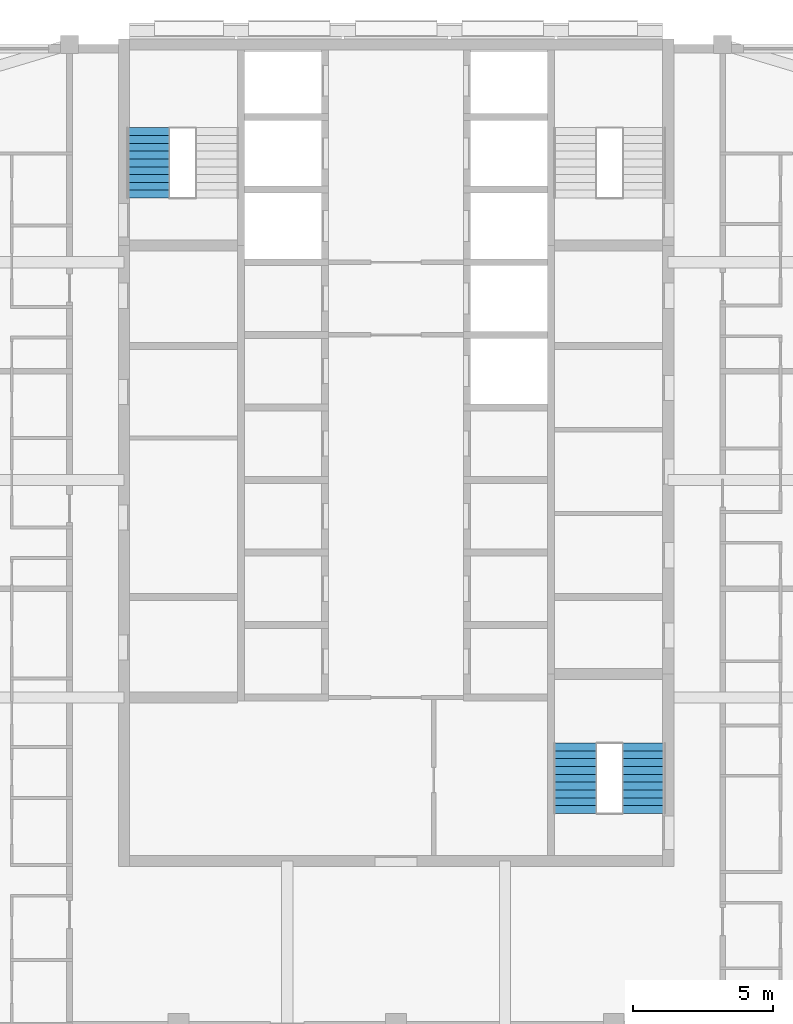
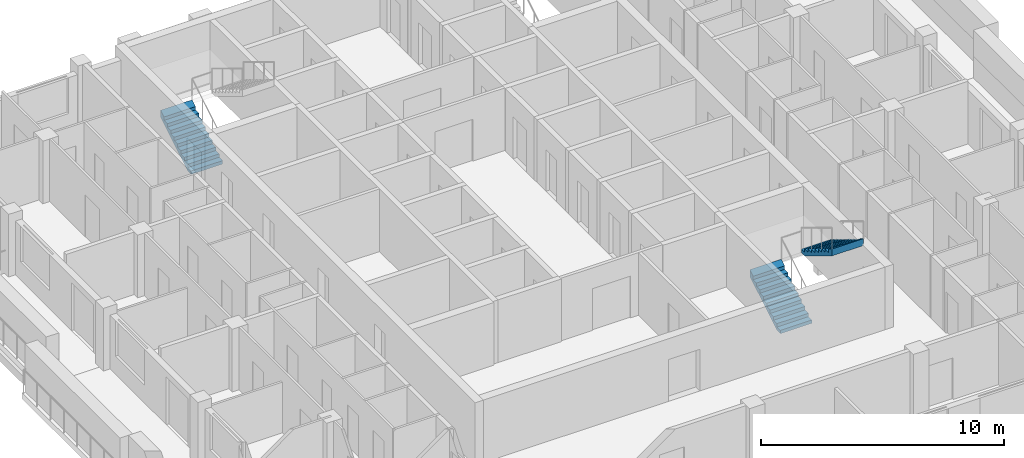
# One storey, part 10 of 13: 3 stair flights, 2 elements without a shape of their own.
"""IFC4 building model written with IfcOpenShell, lengths in metres."""

from ifc_helpers import new_model, si_unit, direction, frame, origin, place, context, subcontext, project, spatial, triangles, material, type_object, element, aggregate, save


model = new_model("IFC4")

# Units and contexts
model_context = context("Model", 3, precision=1e-05, world=origin(), true_north=direction((0.0, 1.0)))
body_context = subcontext(model_context, "Body", "Model", "MODEL_VIEW")
ifc_project = project(units=[si_unit("LENGTHUNIT", "METRE"), si_unit("AREAUNIT", "SQUARE_METRE"), si_unit("VOLUMEUNIT", "CUBIC_METRE"), si_unit("PLANEANGLEUNIT", "RADIAN"), si_unit("MASSUNIT", "GRAM", prefix="KILO")], contexts=[model_context])

# Site, building, storey
site_placement = place(None, origin())
site = spatial("IfcSite", under=ifc_project, at=site_placement, CompositionType="ELEMENT")
building_placement = place(site_placement, origin())
building = spatial("IfcBuilding", under=site, at=building_placement, Name="Ludao Terraces", CompositionType="ELEMENT")
storey_placement = place(building_placement, frame((0.0, 0.0, 246.0)))
storey = spatial("IfcBuildingStorey", under=building, at=storey_placement, Name="L67", CompositionType="ELEMENT", Elevation=246.0)

# Stair, stair flight
ifc_material = material(Name="Concrete C40", Category="concrete")
stair_type = type_object("IfcStairType", Name="INT Stair", PredefinedType="HALF_TURN_STAIR", material=ifc_material)
stair_1_placement = place(storey_placement, origin())
stair_1 = element("IfcStair", 1, at=stair_1_placement, inside=storey, type_object=stair_type, Name="EXIT STAIR 1", PredefinedType="HALF_TURN_STAIR")
stair_flight_type = type_object("IfcStairFlightType", Name="INT Stair flight", PredefinedType="STRAIGHT", material=ifc_material)
stair_flight_1_placement = place(storey_placement, frame((76.125, 79.0, 0.0), z_axis=(0.0, 0.0, 1.0), x_axis=(0.0, 1.0, 0.0)))
stair_flight_1 = element("IfcStairFlight", 2, at=stair_flight_1_placement, type_object=stair_flight_type, Name="ST1 flight 1", NumberOfRisers=10, NumberOfTreads=9, PredefinedType="STRAIGHT", RiserHeight=0.17, TreadLength=0.28, context=body_context, shape_type="Tessellation", body=[
    triangles([(0.0, -0.75, 0.0), (0.0, -0.5, 0.0), (0.0, -0.25, 0.0), (0.0, 0.0, 0.0), (0.0, 0.25, 0.0), (0.0, 0.5, 0.0), (0.0, 0.75, 0.0), (0.0, -0.75, 0.169921875), (0.0, -0.5, 0.169921875), (0.0, -0.25, 0.169921875), (0.0, 0.0, 0.169921875), (0.0, 0.25, 0.169921875), (0.0, 0.5, 0.169921875), (0.0, 0.75, 0.169921875), (0.280029296875, -0.75, 0.169921875), (0.280029296875, -0.5, 0.169921875), (0.280029296875, -0.25, 0.169921875), (0.280029296875, 0.0, 0.169921875), (0.280029296875, 0.25, 0.169921875), (0.280029296875, 0.5, 0.169921875), (0.280029296875, 0.75, 0.169921875), (0.280029296875, -0.75, 0.340087890625), (0.280029296875, -0.5, 0.340087890625), (0.280029296875, -0.25, 0.340087890625), (0.280029296875, 0.0, 0.340087890625), (0.280029296875, 0.25, 0.340087890625), (0.280029296875, 0.5, 0.340087890625), (0.280029296875, 0.75, 0.340087890625), (0.56005859375, -0.75, 0.340087890625), (0.56005859375, -0.5, 0.340087890625), (0.56005859375, -0.25, 0.340087890625), (0.56005859375, 0.0, 0.340087890625), (0.56005859375, 0.25, 0.340087890625), (0.56005859375, 0.5, 0.340087890625), (0.56005859375, 0.75, 0.340087890625), (0.56005859375, -0.75, 0.510009765625), (0.56005859375, -0.5, 0.510009765625), (0.56005859375, -0.25, 0.510009765625), (0.56005859375, 0.0, 0.510009765625), (0.56005859375, 0.25, 0.510009765625), (0.56005859375, 0.5, 0.510009765625), (0.56005859375, 0.75, 0.510009765625), (0.840087890625, -0.75, 0.510009765625), (0.840087890625, -0.5, 0.510009765625), (0.840087890625, -0.25, 0.510009765625), (0.840087890625, 0.0, 0.510009765625), (0.840087890625, 0.25, 0.510009765625), (0.840087890625, 0.5, 0.510009765625), (0.840087890625, 0.75, 0.510009765625), (0.840087890625, -0.75, 0.679931640625), (0.840087890625, -0.5, 0.679931640625), (0.840087890625, -0.25, 0.679931640625), (0.840087890625, 0.0, 0.679931640625), (0.840087890625, 0.25, 0.679931640625), (0.840087890625, 0.5, 0.679931640625), (0.840087890625, 0.75, 0.679931640625), (1.1201171875, -0.75, 0.679931640625), (1.1201171875, -0.5, 0.679931640625), (1.1201171875, -0.25, 0.679931640625), (1.1201171875, 0.0, 0.679931640625), (1.1201171875, 0.25, 0.679931640625), (1.1201171875, 0.5, 0.679931640625), (1.1201171875, 0.75, 0.679931640625), (1.1201171875, -0.75, 0.85009765625), (1.1201171875, -0.5, 0.85009765625), (1.1201171875, -0.25, 0.85009765625), (1.1201171875, 0.0, 0.85009765625), (1.1201171875, 0.25, 0.85009765625), (1.1201171875, 0.5, 0.85009765625), (1.1201171875, 0.75, 0.85009765625), (1.39990234375, -0.75, 0.85009765625), (1.39990234375, -0.5, 0.85009765625), (1.39990234375, -0.25, 0.85009765625), (1.39990234375, 0.0, 0.85009765625), (1.39990234375, 0.25, 0.85009765625), (1.39990234375, 0.5, 0.85009765625), (1.39990234375, 0.75, 0.85009765625), (1.39990234375, -0.75, 1.02001953125), (1.39990234375, -0.5, 1.02001953125), (1.39990234375, -0.25, 1.02001953125), (1.39990234375, 0.0, 1.02001953125), (1.39990234375, 0.25, 1.02001953125), (1.39990234375, 0.5, 1.02001953125), (1.39990234375, 0.75, 1.02001953125), (1.679931640625, -0.75, 1.02001953125), (1.679931640625, -0.5, 1.02001953125), (1.679931640625, -0.25, 1.02001953125), (1.679931640625, 0.0, 1.02001953125), (1.679931640625, 0.25, 1.02001953125), (1.679931640625, 0.5, 1.02001953125), (1.679931640625, 0.75, 1.02001953125), (1.679931640625, -0.75, 1.18994140625), (1.679931640625, -0.5, 1.18994140625), (1.679931640625, -0.25, 1.18994140625), (1.679931640625, 0.0, 1.18994140625), (1.679931640625, 0.25, 1.18994140625), (1.679931640625, 0.5, 1.18994140625), (1.679931640625, 0.75, 1.18994140625), (1.9599609375, -0.75, 1.18994140625), (1.9599609375, -0.5, 1.18994140625), (1.9599609375, -0.25, 1.18994140625), (1.9599609375, 0.0, 1.18994140625), (1.9599609375, 0.25, 1.18994140625), (1.9599609375, 0.5, 1.18994140625), (1.9599609375, 0.75, 1.18994140625), (1.9599609375, -0.75, 1.360107421875), (1.9599609375, -0.5, 1.360107421875), (1.9599609375, -0.25, 1.360107421875), (1.9599609375, 0.0, 1.360107421875), (1.9599609375, 0.25, 1.360107421875), (1.9599609375, 0.5, 1.360107421875), (1.9599609375, 0.75, 1.360107421875), (2.239990234375, -0.75, 1.360107421875), (2.239990234375, -0.5, 1.360107421875), (2.239990234375, -0.25, 1.360107421875), (2.239990234375, 0.0, 1.360107421875), (2.239990234375, 0.25, 1.360107421875), (2.239990234375, 0.5, 1.360107421875), (2.239990234375, 0.75, 1.360107421875), (2.239990234375, -0.75, 1.530029296875), (2.239990234375, -0.5, 1.530029296875), (2.239990234375, -0.25, 1.530029296875), (2.239990234375, 0.0, 1.530029296875), (2.239990234375, 0.25, 1.530029296875), (2.239990234375, 0.5, 1.530029296875), (2.239990234375, 0.75, 1.530029296875), (2.52001953125, -0.75, 1.699951171875), (2.52001953125, -0.5, 1.699951171875), (2.52001953125, -0.25, 1.699951171875), (2.52001953125, 0.0, 1.699951171875), (2.52001953125, 0.25, 1.699951171875), (2.52001953125, 0.5, 1.699951171875), (2.52001953125, 0.75, 1.699951171875), (2.52001953125, -0.75, 1.354736328125), (2.52001953125, -0.5, 1.354736328125), (2.52001953125, -0.25, 1.354736328125), (2.52001953125, 0.0, 1.354736328125), (2.52001953125, 0.25, 1.354736328125), (2.52001953125, 0.5, 1.354736328125), (2.52001953125, 0.75, 1.354736328125), (0.288818359375, -0.75, 0.0), (0.288818359375, -0.5, 0.0), (0.288818359375, -0.25, 0.0), (0.288818359375, 0.0, 0.0), (0.288818359375, 0.25, 0.0), (0.288818359375, 0.5, 0.0), (0.288818359375, 0.75, 0.0)], [[1, 141, 134], [7, 140, 147], [134, 127, 120], [140, 126, 133], [134, 120, 113], [140, 119, 126], [134, 113, 106], [140, 112, 119], [134, 106, 99], [140, 105, 112], [99, 92, 85], [105, 91, 98], [134, 99, 85], [140, 91, 105], [85, 78, 71], [91, 77, 84], [134, 85, 71], [140, 77, 91], [71, 64, 57], [77, 63, 70], [134, 71, 57], [140, 63, 77], [57, 50, 43], [63, 49, 56], [134, 57, 43], [140, 49, 63], [43, 36, 29], [49, 35, 42], [134, 43, 29], [140, 35, 49], [29, 22, 15], [35, 21, 28], [134, 29, 15], [140, 21, 35], [1, 134, 15], [7, 21, 140], [15, 8, 1], [21, 7, 14], [1, 9, 2], [1, 8, 9], [2, 10, 3], [2, 9, 10], [3, 11, 4], [3, 10, 11], [4, 12, 5], [4, 11, 12], [5, 13, 6], [5, 12, 13], [6, 14, 7], [6, 13, 14], [8, 16, 9], [8, 15, 16], [9, 17, 10], [9, 16, 17], [10, 18, 11], [10, 17, 18], [11, 19, 12], [11, 18, 19], [12, 20, 13], [12, 19, 20], [13, 21, 14], [13, 20, 21], [15, 23, 16], [15, 22, 23], [16, 24, 17], [16, 23, 24], [17, 25, 18], [17, 24, 25], [18, 26, 19], [18, 25, 26], [19, 27, 20], [19, 26, 27], [20, 28, 21], [20, 27, 28], [22, 30, 23], [22, 29, 30], [23, 31, 24], [23, 30, 31], [24, 32, 25], [24, 31, 32], [25, 33, 26], [25, 32, 33], [26, 34, 27], [26, 33, 34], [27, 35, 28], [27, 34, 35], [29, 37, 30], [29, 36, 37], [30, 38, 31], [30, 37, 38], [31, 39, 32], [31, 38, 39], [32, 40, 33], [32, 39, 40], [33, 41, 34], [33, 40, 41], [34, 42, 35], [34, 41, 42], [36, 44, 37], [36, 43, 44], [37, 45, 38], [37, 44, 45], [38, 46, 39], [38, 45, 46], [39, 47, 40], [39, 46, 47], [40, 48, 41], [40, 47, 48], [41, 49, 42], [41, 48, 49], [43, 51, 44], [43, 50, 51], [44, 52, 45], [44, 51, 52], [45, 53, 46], [45, 52, 53], [46, 54, 47], [46, 53, 54], [47, 55, 48], [47, 54, 55], [48, 56, 49], [48, 55, 56], [50, 58, 51], [50, 57, 58], [51, 59, 52], [51, 58, 59], [52, 60, 53], [52, 59, 60], [53, 61, 54], [53, 60, 61], [54, 62, 55], [54, 61, 62], [55, 63, 56], [55, 62, 63], [57, 65, 58], [57, 64, 65], [58, 66, 59], [58, 65, 66], [59, 67, 60], [59, 66, 67], [60, 68, 61], [60, 67, 68], [61, 69, 62], [61, 68, 69], [62, 70, 63], [62, 69, 70], [64, 72, 65], [64, 71, 72], [65, 73, 66], [65, 72, 73], [66, 74, 67], [66, 73, 74], [67, 75, 68], [67, 74, 75], [68, 76, 69], [68, 75, 76], [69, 77, 70], [69, 76, 77], [71, 79, 72], [71, 78, 79], [72, 80, 73], [72, 79, 80], [73, 81, 74], [73, 80, 81], [74, 82, 75], [74, 81, 82], [75, 83, 76], [75, 82, 83], [76, 84, 77], [76, 83, 84], [78, 86, 79], [78, 85, 86], [79, 87, 80], [79, 86, 87], [80, 88, 81], [80, 87, 88], [81, 89, 82], [81, 88, 89], [82, 90, 83], [82, 89, 90], [83, 91, 84], [83, 90, 91], [85, 93, 86], [85, 92, 93], [86, 94, 87], [86, 93, 94], [87, 95, 88], [87, 94, 95], [88, 96, 89], [88, 95, 96], [89, 97, 90], [89, 96, 97], [90, 98, 91], [90, 97, 98], [92, 100, 93], [92, 99, 100], [93, 101, 94], [93, 100, 101], [94, 102, 95], [94, 101, 102], [95, 103, 96], [95, 102, 103], [96, 104, 97], [96, 103, 104], [97, 105, 98], [97, 104, 105], [99, 107, 100], [99, 106, 107], [100, 108, 101], [100, 107, 108], [101, 109, 102], [101, 108, 109], [102, 110, 103], [102, 109, 110], [103, 111, 104], [103, 110, 111], [104, 112, 105], [104, 111, 112], [106, 114, 107], [106, 113, 114], [107, 115, 108], [107, 114, 115], [108, 116, 109], [108, 115, 116], [109, 117, 110], [109, 116, 117], [110, 118, 111], [110, 117, 118], [111, 119, 112], [111, 118, 119], [113, 121, 114], [113, 120, 121], [114, 122, 115], [114, 121, 122], [115, 123, 116], [115, 122, 123], [116, 124, 117], [116, 123, 124], [117, 125, 118], [117, 124, 125], [118, 126, 119], [118, 125, 126], [120, 128, 121], [120, 127, 128], [121, 129, 122], [121, 128, 129], [122, 130, 123], [122, 129, 130], [123, 131, 124], [123, 130, 131], [124, 132, 125], [124, 131, 132], [125, 133, 126], [125, 132, 133], [127, 135, 128], [127, 134, 135], [128, 136, 129], [128, 135, 136], [129, 137, 130], [129, 136, 137], [130, 138, 131], [130, 137, 138], [131, 139, 132], [131, 138, 139], [132, 140, 133], [132, 139, 140], [134, 142, 135], [134, 141, 142], [135, 143, 136], [135, 142, 143], [136, 144, 137], [136, 143, 144], [137, 145, 138], [137, 144, 145], [138, 146, 139], [138, 145, 146], [139, 147, 140], [139, 146, 147], [141, 2, 142], [141, 1, 2], [142, 3, 143], [142, 2, 3], [143, 4, 144], [143, 3, 4], [144, 5, 145], [144, 4, 5], [145, 6, 146], [145, 5, 6], [146, 7, 147], [146, 6, 7]], closed=True),
])
aggregate(stair_1, [stair_flight_1])

# Stair, stair flights
stair_2_placement = place(storey_placement, origin())
stair_2 = element("IfcStair", 3, at=stair_2_placement, inside=storey, type_object=stair_type, Name="EXIT STAIR 3", PredefinedType="HALF_TURN_STAIR")
stair_flight_2_placement = place(storey_placement, frame((91.425048828125, 56.949951171875, 0.0), z_axis=(0.0, 0.0, 1.0), x_axis=(0.0, 1.0, 0.0)))
stair_flight_2 = element("IfcStairFlight", 4, at=stair_flight_2_placement, type_object=stair_flight_type, Name="ST3 flight 1", NumberOfRisers=10, NumberOfTreads=9, PredefinedType="STRAIGHT", RiserHeight=0.17, TreadLength=0.28, context=body_context, shape_type="Tessellation", body=[
    triangles([(0.0, -0.75, 0.0), (0.0, -0.5, 0.0), (0.0, -0.25, 0.0), (0.0, 0.0, 0.0), (0.0, 0.25, 0.0), (0.0, 0.5, 0.0), (0.0, 0.75, 0.0), (0.0, -0.75, 0.169921875), (0.0, -0.5, 0.169921875), (0.0, -0.25, 0.169921875), (0.0, 0.0, 0.169921875), (0.0, 0.25, 0.169921875), (0.0, 0.5, 0.169921875), (0.0, 0.75, 0.169921875), (0.280029296875, -0.75, 0.169921875), (0.280029296875, -0.5, 0.169921875), (0.280029296875, -0.25, 0.169921875), (0.280029296875, 0.0, 0.169921875), (0.280029296875, 0.25, 0.169921875), (0.280029296875, 0.5, 0.169921875), (0.280029296875, 0.75, 0.169921875), (0.280029296875, -0.75, 0.340087890625), (0.280029296875, -0.5, 0.340087890625), (0.280029296875, -0.25, 0.340087890625), (0.280029296875, 0.0, 0.340087890625), (0.280029296875, 0.25, 0.340087890625), (0.280029296875, 0.5, 0.340087890625), (0.280029296875, 0.75, 0.340087890625), (0.56005859375, -0.75, 0.340087890625), (0.56005859375, -0.5, 0.340087890625), (0.56005859375, -0.25, 0.340087890625), (0.56005859375, 0.0, 0.340087890625), (0.56005859375, 0.25, 0.340087890625), (0.56005859375, 0.5, 0.340087890625), (0.56005859375, 0.75, 0.340087890625), (0.56005859375, -0.75, 0.510009765625), (0.56005859375, -0.5, 0.510009765625), (0.56005859375, -0.25, 0.510009765625), (0.56005859375, 0.0, 0.510009765625), (0.56005859375, 0.25, 0.510009765625), (0.56005859375, 0.5, 0.510009765625), (0.56005859375, 0.75, 0.510009765625), (0.840087890625, -0.75, 0.510009765625), (0.840087890625, -0.5, 0.510009765625), (0.840087890625, -0.25, 0.510009765625), (0.840087890625, 0.0, 0.510009765625), (0.840087890625, 0.25, 0.510009765625), (0.840087890625, 0.5, 0.510009765625), (0.840087890625, 0.75, 0.510009765625), (0.840087890625, -0.75, 0.679931640625), (0.840087890625, -0.5, 0.679931640625), (0.840087890625, -0.25, 0.679931640625), (0.840087890625, 0.0, 0.679931640625), (0.840087890625, 0.25, 0.679931640625), (0.840087890625, 0.5, 0.679931640625), (0.840087890625, 0.75, 0.679931640625), (1.1201171875, -0.75, 0.679931640625), (1.1201171875, -0.5, 0.679931640625), (1.1201171875, -0.25, 0.679931640625), (1.1201171875, 0.0, 0.679931640625), (1.1201171875, 0.25, 0.679931640625), (1.1201171875, 0.5, 0.679931640625), (1.1201171875, 0.75, 0.679931640625), (1.1201171875, -0.75, 0.85009765625), (1.1201171875, -0.5, 0.85009765625), (1.1201171875, -0.25, 0.85009765625), (1.1201171875, 0.0, 0.85009765625), (1.1201171875, 0.25, 0.85009765625), (1.1201171875, 0.5, 0.85009765625), (1.1201171875, 0.75, 0.85009765625), (1.39990234375, -0.75, 0.85009765625), (1.39990234375, -0.5, 0.85009765625), (1.39990234375, -0.25, 0.85009765625), (1.39990234375, 0.0, 0.85009765625), (1.39990234375, 0.25, 0.85009765625), (1.39990234375, 0.5, 0.85009765625), (1.39990234375, 0.75, 0.85009765625), (1.39990234375, -0.75, 1.02001953125), (1.39990234375, -0.5, 1.02001953125), (1.39990234375, -0.25, 1.02001953125), (1.39990234375, 0.0, 1.02001953125), (1.39990234375, 0.25, 1.02001953125), (1.39990234375, 0.5, 1.02001953125), (1.39990234375, 0.75, 1.02001953125), (1.679931640625, -0.75, 1.02001953125), (1.679931640625, -0.5, 1.02001953125), (1.679931640625, -0.25, 1.02001953125), (1.679931640625, 0.0, 1.02001953125), (1.679931640625, 0.25, 1.02001953125), (1.679931640625, 0.5, 1.02001953125), (1.679931640625, 0.75, 1.02001953125), (1.679931640625, -0.75, 1.18994140625), (1.679931640625, -0.5, 1.18994140625), (1.679931640625, -0.25, 1.18994140625), (1.679931640625, 0.0, 1.18994140625), (1.679931640625, 0.25, 1.18994140625), (1.679931640625, 0.5, 1.18994140625), (1.679931640625, 0.75, 1.18994140625), (1.9599609375, -0.75, 1.18994140625), (1.9599609375, -0.5, 1.18994140625), (1.9599609375, -0.25, 1.18994140625), (1.9599609375, 0.0, 1.18994140625), (1.9599609375, 0.25, 1.18994140625), (1.9599609375, 0.5, 1.18994140625), (1.9599609375, 0.75, 1.18994140625), (1.9599609375, -0.75, 1.360107421875), (1.9599609375, -0.5, 1.360107421875), (1.9599609375, -0.25, 1.360107421875), (1.9599609375, 0.0, 1.360107421875), (1.9599609375, 0.25, 1.360107421875), (1.9599609375, 0.5, 1.360107421875), (1.9599609375, 0.75, 1.360107421875), (2.239990234375, -0.75, 1.360107421875), (2.239990234375, -0.5, 1.360107421875), (2.239990234375, -0.25, 1.360107421875), (2.239990234375, 0.0, 1.360107421875), (2.239990234375, 0.25, 1.360107421875), (2.239990234375, 0.5, 1.360107421875), (2.239990234375, 0.75, 1.360107421875), (2.239990234375, -0.75, 1.530029296875), (2.239990234375, -0.5, 1.530029296875), (2.239990234375, -0.25, 1.530029296875), (2.239990234375, 0.0, 1.530029296875), (2.239990234375, 0.25, 1.530029296875), (2.239990234375, 0.5, 1.530029296875), (2.239990234375, 0.75, 1.530029296875), (2.52001953125, -0.75, 1.699951171875), (2.52001953125, -0.5, 1.699951171875), (2.52001953125, -0.25, 1.699951171875), (2.52001953125, 0.0, 1.699951171875), (2.52001953125, 0.25, 1.699951171875), (2.52001953125, 0.5, 1.699951171875), (2.52001953125, 0.75, 1.699951171875), (2.52001953125, -0.75, 1.354736328125), (2.52001953125, -0.5, 1.354736328125), (2.52001953125, -0.25, 1.354736328125), (2.52001953125, 0.0, 1.354736328125), (2.52001953125, 0.25, 1.354736328125), (2.52001953125, 0.5, 1.354736328125), (2.52001953125, 0.75, 1.354736328125), (0.288818359375, -0.75, 0.0), (0.288818359375, -0.5, 0.0), (0.288818359375, -0.25, 0.0), (0.288818359375, 0.0, 0.0), (0.288818359375, 0.25, 0.0), (0.288818359375, 0.5, 0.0), (0.288818359375, 0.75, 0.0)], [[1, 141, 134], [7, 140, 147], [134, 127, 120], [140, 126, 133], [134, 120, 113], [140, 119, 126], [134, 113, 106], [140, 112, 119], [134, 106, 99], [140, 105, 112], [99, 92, 85], [105, 91, 98], [134, 99, 85], [140, 91, 105], [85, 78, 71], [91, 77, 84], [134, 85, 71], [140, 77, 91], [71, 64, 57], [77, 63, 70], [134, 71, 57], [140, 63, 77], [57, 50, 43], [63, 49, 56], [134, 57, 43], [140, 49, 63], [43, 36, 29], [49, 35, 42], [134, 43, 29], [140, 35, 49], [29, 22, 15], [35, 21, 28], [134, 29, 15], [140, 21, 35], [1, 134, 15], [7, 21, 140], [15, 8, 1], [21, 7, 14], [1, 9, 2], [1, 8, 9], [2, 10, 3], [2, 9, 10], [3, 11, 4], [3, 10, 11], [4, 12, 5], [4, 11, 12], [5, 13, 6], [5, 12, 13], [6, 14, 7], [6, 13, 14], [8, 16, 9], [8, 15, 16], [9, 17, 10], [9, 16, 17], [10, 18, 11], [10, 17, 18], [11, 19, 12], [11, 18, 19], [12, 20, 13], [12, 19, 20], [13, 21, 14], [13, 20, 21], [15, 23, 16], [15, 22, 23], [16, 24, 17], [16, 23, 24], [17, 25, 18], [17, 24, 25], [18, 26, 19], [18, 25, 26], [19, 27, 20], [19, 26, 27], [20, 28, 21], [20, 27, 28], [22, 30, 23], [22, 29, 30], [23, 31, 24], [23, 30, 31], [24, 32, 25], [24, 31, 32], [25, 33, 26], [25, 32, 33], [26, 34, 27], [26, 33, 34], [27, 35, 28], [27, 34, 35], [29, 37, 30], [29, 36, 37], [30, 38, 31], [30, 37, 38], [31, 39, 32], [31, 38, 39], [32, 40, 33], [32, 39, 40], [33, 41, 34], [33, 40, 41], [34, 42, 35], [34, 41, 42], [36, 44, 37], [36, 43, 44], [37, 45, 38], [37, 44, 45], [38, 46, 39], [38, 45, 46], [39, 47, 40], [39, 46, 47], [40, 48, 41], [40, 47, 48], [41, 49, 42], [41, 48, 49], [43, 51, 44], [43, 50, 51], [44, 52, 45], [44, 51, 52], [45, 53, 46], [45, 52, 53], [46, 54, 47], [46, 53, 54], [47, 55, 48], [47, 54, 55], [48, 56, 49], [48, 55, 56], [50, 58, 51], [50, 57, 58], [51, 59, 52], [51, 58, 59], [52, 60, 53], [52, 59, 60], [53, 61, 54], [53, 60, 61], [54, 62, 55], [54, 61, 62], [55, 63, 56], [55, 62, 63], [57, 65, 58], [57, 64, 65], [58, 66, 59], [58, 65, 66], [59, 67, 60], [59, 66, 67], [60, 68, 61], [60, 67, 68], [61, 69, 62], [61, 68, 69], [62, 70, 63], [62, 69, 70], [64, 72, 65], [64, 71, 72], [65, 73, 66], [65, 72, 73], [66, 74, 67], [66, 73, 74], [67, 75, 68], [67, 74, 75], [68, 76, 69], [68, 75, 76], [69, 77, 70], [69, 76, 77], [71, 79, 72], [71, 78, 79], [72, 80, 73], [72, 79, 80], [73, 81, 74], [73, 80, 81], [74, 82, 75], [74, 81, 82], [75, 83, 76], [75, 82, 83], [76, 84, 77], [76, 83, 84], [78, 86, 79], [78, 85, 86], [79, 87, 80], [79, 86, 87], [80, 88, 81], [80, 87, 88], [81, 89, 82], [81, 88, 89], [82, 90, 83], [82, 89, 90], [83, 91, 84], [83, 90, 91], [85, 93, 86], [85, 92, 93], [86, 94, 87], [86, 93, 94], [87, 95, 88], [87, 94, 95], [88, 96, 89], [88, 95, 96], [89, 97, 90], [89, 96, 97], [90, 98, 91], [90, 97, 98], [92, 100, 93], [92, 99, 100], [93, 101, 94], [93, 100, 101], [94, 102, 95], [94, 101, 102], [95, 103, 96], [95, 102, 103], [96, 104, 97], [96, 103, 104], [97, 105, 98], [97, 104, 105], [99, 107, 100], [99, 106, 107], [100, 108, 101], [100, 107, 108], [101, 109, 102], [101, 108, 109], [102, 110, 103], [102, 109, 110], [103, 111, 104], [103, 110, 111], [104, 112, 105], [104, 111, 112], [106, 114, 107], [106, 113, 114], [107, 115, 108], [107, 114, 115], [108, 116, 109], [108, 115, 116], [109, 117, 110], [109, 116, 117], [110, 118, 111], [110, 117, 118], [111, 119, 112], [111, 118, 119], [113, 121, 114], [113, 120, 121], [114, 122, 115], [114, 121, 122], [115, 123, 116], [115, 122, 123], [116, 124, 117], [116, 123, 124], [117, 125, 118], [117, 124, 125], [118, 126, 119], [118, 125, 126], [120, 128, 121], [120, 127, 128], [121, 129, 122], [121, 128, 129], [122, 130, 123], [122, 129, 130], [123, 131, 124], [123, 130, 131], [124, 132, 125], [124, 131, 132], [125, 133, 126], [125, 132, 133], [127, 135, 128], [127, 134, 135], [128, 136, 129], [128, 135, 136], [129, 137, 130], [129, 136, 137], [130, 138, 131], [130, 137, 138], [131, 139, 132], [131, 138, 139], [132, 140, 133], [132, 139, 140], [134, 142, 135], [134, 141, 142], [135, 143, 136], [135, 142, 143], [136, 144, 137], [136, 143, 144], [137, 145, 138], [137, 144, 145], [138, 146, 139], [138, 145, 146], [139, 147, 140], [139, 146, 147], [141, 2, 142], [141, 1, 2], [142, 3, 143], [142, 2, 3], [143, 4, 144], [143, 3, 4], [144, 5, 145], [144, 4, 5], [145, 6, 146], [145, 5, 6], [146, 7, 147], [146, 6, 7]], closed=True),
])
stair_flight_3_placement = place(storey_placement, frame((93.875, 59.469970703125, 1.699951171875), z_axis=(0.0, 0.0, 1.0), x_axis=(0.0, -1.0, 0.0)))
stair_flight_3 = element("IfcStairFlight", 5, at=stair_flight_3_placement, type_object=stair_flight_type, Name="ST3 flight 2", NumberOfRisers=10, NumberOfTreads=9, PredefinedType="STRAIGHT", RiserHeight=0.17, TreadLength=0.28, context=body_context, shape_type="Tessellation", body=[
    triangles([(0.0, -0.75, 0.0), (0.0, -0.5, 0.0), (0.0, -0.25, 0.0), (0.0, 0.0, 0.0), (0.0, 0.25, 0.0), (0.0, 0.5, 0.0), (0.0, 0.75, 0.0), (0.0, -0.75, 0.169921875), (0.0, -0.5, 0.169921875), (0.0, -0.25, 0.169921875), (0.0, 0.0, 0.169921875), (0.0, 0.25, 0.169921875), (0.0, 0.5, 0.169921875), (0.0, 0.75, 0.169921875), (0.280029296875, -0.75, 0.169921875), (0.280029296875, -0.5, 0.169921875), (0.280029296875, -0.25, 0.169921875), (0.280029296875, 0.0, 0.169921875), (0.280029296875, 0.25, 0.169921875), (0.280029296875, 0.5, 0.169921875), (0.280029296875, 0.75, 0.169921875), (0.280029296875, -0.75, 0.340087890625), (0.280029296875, -0.5, 0.340087890625), (0.280029296875, -0.25, 0.340087890625), (0.280029296875, 0.0, 0.340087890625), (0.280029296875, 0.25, 0.340087890625), (0.280029296875, 0.5, 0.340087890625), (0.280029296875, 0.75, 0.340087890625), (0.56005859375, -0.75, 0.340087890625), (0.56005859375, -0.5, 0.340087890625), (0.56005859375, -0.25, 0.340087890625), (0.56005859375, 0.0, 0.340087890625), (0.56005859375, 0.25, 0.340087890625), (0.56005859375, 0.5, 0.340087890625), (0.56005859375, 0.75, 0.340087890625), (0.56005859375, -0.75, 0.510009765625), (0.56005859375, -0.5, 0.510009765625), (0.56005859375, -0.25, 0.510009765625), (0.56005859375, 0.0, 0.510009765625), (0.56005859375, 0.25, 0.510009765625), (0.56005859375, 0.5, 0.510009765625), (0.56005859375, 0.75, 0.510009765625), (0.840087890625, -0.75, 0.510009765625), (0.840087890625, -0.5, 0.510009765625), (0.840087890625, -0.25, 0.510009765625), (0.840087890625, 0.0, 0.510009765625), (0.840087890625, 0.25, 0.510009765625), (0.840087890625, 0.5, 0.510009765625), (0.840087890625, 0.75, 0.510009765625), (0.840087890625, -0.75, 0.679931640625), (0.840087890625, -0.5, 0.679931640625), (0.840087890625, -0.25, 0.679931640625), (0.840087890625, 0.0, 0.679931640625), (0.840087890625, 0.25, 0.679931640625), (0.840087890625, 0.5, 0.679931640625), (0.840087890625, 0.75, 0.679931640625), (1.1201171875, -0.75, 0.679931640625), (1.1201171875, -0.5, 0.679931640625), (1.1201171875, -0.25, 0.679931640625), (1.1201171875, 0.0, 0.679931640625), (1.1201171875, 0.25, 0.679931640625), (1.1201171875, 0.5, 0.679931640625), (1.1201171875, 0.75, 0.679931640625), (1.1201171875, -0.75, 0.85009765625), (1.1201171875, -0.5, 0.85009765625), (1.1201171875, -0.25, 0.85009765625), (1.1201171875, 0.0, 0.85009765625), (1.1201171875, 0.25, 0.85009765625), (1.1201171875, 0.5, 0.85009765625), (1.1201171875, 0.75, 0.85009765625), (1.39990234375, -0.75, 0.85009765625), (1.39990234375, -0.5, 0.85009765625), (1.39990234375, -0.25, 0.85009765625), (1.39990234375, 0.0, 0.85009765625), (1.39990234375, 0.25, 0.85009765625), (1.39990234375, 0.5, 0.85009765625), (1.39990234375, 0.75, 0.85009765625), (1.39990234375, -0.75, 1.02001953125), (1.39990234375, -0.5, 1.02001953125), (1.39990234375, -0.25, 1.02001953125), (1.39990234375, 0.0, 1.02001953125), (1.39990234375, 0.25, 1.02001953125), (1.39990234375, 0.5, 1.02001953125), (1.39990234375, 0.75, 1.02001953125), (1.679931640625, -0.75, 1.02001953125), (1.679931640625, -0.5, 1.02001953125), (1.679931640625, -0.25, 1.02001953125), (1.679931640625, 0.0, 1.02001953125), (1.679931640625, 0.25, 1.02001953125), (1.679931640625, 0.5, 1.02001953125), (1.679931640625, 0.75, 1.02001953125), (1.679931640625, -0.75, 1.18994140625), (1.679931640625, -0.5, 1.18994140625), (1.679931640625, -0.25, 1.18994140625), (1.679931640625, 0.0, 1.18994140625), (1.679931640625, 0.25, 1.18994140625), (1.679931640625, 0.5, 1.18994140625), (1.679931640625, 0.75, 1.18994140625), (1.9599609375, -0.75, 1.18994140625), (1.9599609375, -0.5, 1.18994140625), (1.9599609375, -0.25, 1.18994140625), (1.9599609375, 0.0, 1.18994140625), (1.9599609375, 0.25, 1.18994140625), (1.9599609375, 0.5, 1.18994140625), (1.9599609375, 0.75, 1.18994140625), (1.9599609375, -0.75, 1.360107421875), (1.9599609375, -0.5, 1.360107421875), (1.9599609375, -0.25, 1.360107421875), (1.9599609375, 0.0, 1.360107421875), (1.9599609375, 0.25, 1.360107421875), (1.9599609375, 0.5, 1.360107421875), (1.9599609375, 0.75, 1.360107421875), (2.239990234375, -0.75, 1.360107421875), (2.239990234375, -0.5, 1.360107421875), (2.239990234375, -0.25, 1.360107421875), (2.239990234375, 0.0, 1.360107421875), (2.239990234375, 0.25, 1.360107421875), (2.239990234375, 0.5, 1.360107421875), (2.239990234375, 0.75, 1.360107421875), (2.239990234375, -0.75, 1.530029296875), (2.239990234375, -0.5, 1.530029296875), (2.239990234375, -0.25, 1.530029296875), (2.239990234375, 0.0, 1.530029296875), (2.239990234375, 0.25, 1.530029296875), (2.239990234375, 0.5, 1.530029296875), (2.239990234375, 0.75, 1.530029296875), (2.52001953125, -0.75, 1.699951171875), (2.52001953125, -0.5, 1.699951171875), (2.52001953125, -0.25, 1.699951171875), (2.52001953125, 0.0, 1.699951171875), (2.52001953125, 0.25, 1.699951171875), (2.52001953125, 0.5, 1.699951171875), (2.52001953125, 0.75, 1.699951171875), (2.52001953125, -0.75, 1.354736328125), (2.52001953125, -0.5, 1.354736328125), (2.52001953125, -0.25, 1.354736328125), (2.52001953125, 0.0, 1.354736328125), (2.52001953125, 0.25, 1.354736328125), (2.52001953125, 0.5, 1.354736328125), (2.52001953125, 0.75, 1.354736328125), (0.288818359375, -0.75, 0.0), (0.288818359375, -0.5, 0.0), (0.288818359375, -0.25, 0.0), (0.288818359375, 0.0, 0.0), (0.288818359375, 0.25, 0.0), (0.288818359375, 0.5, 0.0), (0.288818359375, 0.75, 0.0)], [[1, 141, 134], [7, 140, 147], [134, 127, 120], [140, 126, 133], [134, 120, 113], [140, 119, 126], [134, 113, 106], [140, 112, 119], [134, 106, 99], [140, 105, 112], [99, 92, 85], [105, 91, 98], [134, 99, 85], [140, 91, 105], [85, 78, 71], [91, 77, 84], [134, 85, 71], [140, 77, 91], [71, 64, 57], [77, 63, 70], [134, 71, 57], [140, 63, 77], [57, 50, 43], [63, 49, 56], [134, 57, 43], [140, 49, 63], [43, 36, 29], [49, 35, 42], [134, 43, 29], [140, 35, 49], [29, 22, 15], [35, 21, 28], [134, 29, 15], [140, 21, 35], [1, 134, 15], [7, 21, 140], [15, 8, 1], [21, 7, 14], [1, 9, 2], [1, 8, 9], [2, 10, 3], [2, 9, 10], [3, 11, 4], [3, 10, 11], [4, 12, 5], [4, 11, 12], [5, 13, 6], [5, 12, 13], [6, 14, 7], [6, 13, 14], [8, 16, 9], [8, 15, 16], [9, 17, 10], [9, 16, 17], [10, 18, 11], [10, 17, 18], [11, 19, 12], [11, 18, 19], [12, 20, 13], [12, 19, 20], [13, 21, 14], [13, 20, 21], [15, 23, 16], [15, 22, 23], [16, 24, 17], [16, 23, 24], [17, 25, 18], [17, 24, 25], [18, 26, 19], [18, 25, 26], [19, 27, 20], [19, 26, 27], [20, 28, 21], [20, 27, 28], [22, 30, 23], [22, 29, 30], [23, 31, 24], [23, 30, 31], [24, 32, 25], [24, 31, 32], [25, 33, 26], [25, 32, 33], [26, 34, 27], [26, 33, 34], [27, 35, 28], [27, 34, 35], [29, 37, 30], [29, 36, 37], [30, 38, 31], [30, 37, 38], [31, 39, 32], [31, 38, 39], [32, 40, 33], [32, 39, 40], [33, 41, 34], [33, 40, 41], [34, 42, 35], [34, 41, 42], [36, 44, 37], [36, 43, 44], [37, 45, 38], [37, 44, 45], [38, 46, 39], [38, 45, 46], [39, 47, 40], [39, 46, 47], [40, 48, 41], [40, 47, 48], [41, 49, 42], [41, 48, 49], [43, 51, 44], [43, 50, 51], [44, 52, 45], [44, 51, 52], [45, 53, 46], [45, 52, 53], [46, 54, 47], [46, 53, 54], [47, 55, 48], [47, 54, 55], [48, 56, 49], [48, 55, 56], [50, 58, 51], [50, 57, 58], [51, 59, 52], [51, 58, 59], [52, 60, 53], [52, 59, 60], [53, 61, 54], [53, 60, 61], [54, 62, 55], [54, 61, 62], [55, 63, 56], [55, 62, 63], [57, 65, 58], [57, 64, 65], [58, 66, 59], [58, 65, 66], [59, 67, 60], [59, 66, 67], [60, 68, 61], [60, 67, 68], [61, 69, 62], [61, 68, 69], [62, 70, 63], [62, 69, 70], [64, 72, 65], [64, 71, 72], [65, 73, 66], [65, 72, 73], [66, 74, 67], [66, 73, 74], [67, 75, 68], [67, 74, 75], [68, 76, 69], [68, 75, 76], [69, 77, 70], [69, 76, 77], [71, 79, 72], [71, 78, 79], [72, 80, 73], [72, 79, 80], [73, 81, 74], [73, 80, 81], [74, 82, 75], [74, 81, 82], [75, 83, 76], [75, 82, 83], [76, 84, 77], [76, 83, 84], [78, 86, 79], [78, 85, 86], [79, 87, 80], [79, 86, 87], [80, 88, 81], [80, 87, 88], [81, 89, 82], [81, 88, 89], [82, 90, 83], [82, 89, 90], [83, 91, 84], [83, 90, 91], [85, 93, 86], [85, 92, 93], [86, 94, 87], [86, 93, 94], [87, 95, 88], [87, 94, 95], [88, 96, 89], [88, 95, 96], [89, 97, 90], [89, 96, 97], [90, 98, 91], [90, 97, 98], [92, 100, 93], [92, 99, 100], [93, 101, 94], [93, 100, 101], [94, 102, 95], [94, 101, 102], [95, 103, 96], [95, 102, 103], [96, 104, 97], [96, 103, 104], [97, 105, 98], [97, 104, 105], [99, 107, 100], [99, 106, 107], [100, 108, 101], [100, 107, 108], [101, 109, 102], [101, 108, 109], [102, 110, 103], [102, 109, 110], [103, 111, 104], [103, 110, 111], [104, 112, 105], [104, 111, 112], [106, 114, 107], [106, 113, 114], [107, 115, 108], [107, 114, 115], [108, 116, 109], [108, 115, 116], [109, 117, 110], [109, 116, 117], [110, 118, 111], [110, 117, 118], [111, 119, 112], [111, 118, 119], [113, 121, 114], [113, 120, 121], [114, 122, 115], [114, 121, 122], [115, 123, 116], [115, 122, 123], [116, 124, 117], [116, 123, 124], [117, 125, 118], [117, 124, 125], [118, 126, 119], [118, 125, 126], [120, 128, 121], [120, 127, 128], [121, 129, 122], [121, 128, 129], [122, 130, 123], [122, 129, 130], [123, 131, 124], [123, 130, 131], [124, 132, 125], [124, 131, 132], [125, 133, 126], [125, 132, 133], [127, 135, 128], [127, 134, 135], [128, 136, 129], [128, 135, 136], [129, 137, 130], [129, 136, 137], [130, 138, 131], [130, 137, 138], [131, 139, 132], [131, 138, 139], [132, 140, 133], [132, 139, 140], [134, 142, 135], [134, 141, 142], [135, 143, 136], [135, 142, 143], [136, 144, 137], [136, 143, 144], [137, 145, 138], [137, 144, 145], [138, 146, 139], [138, 145, 146], [139, 147, 140], [139, 146, 147], [141, 2, 142], [141, 1, 2], [142, 3, 143], [142, 2, 3], [143, 4, 144], [143, 3, 4], [144, 5, 145], [144, 4, 5], [145, 6, 146], [145, 5, 6], [146, 7, 147], [146, 6, 7]], closed=True),
])
aggregate(stair_2, [stair_flight_2, stair_flight_3])

save(model, "model.ifc")
